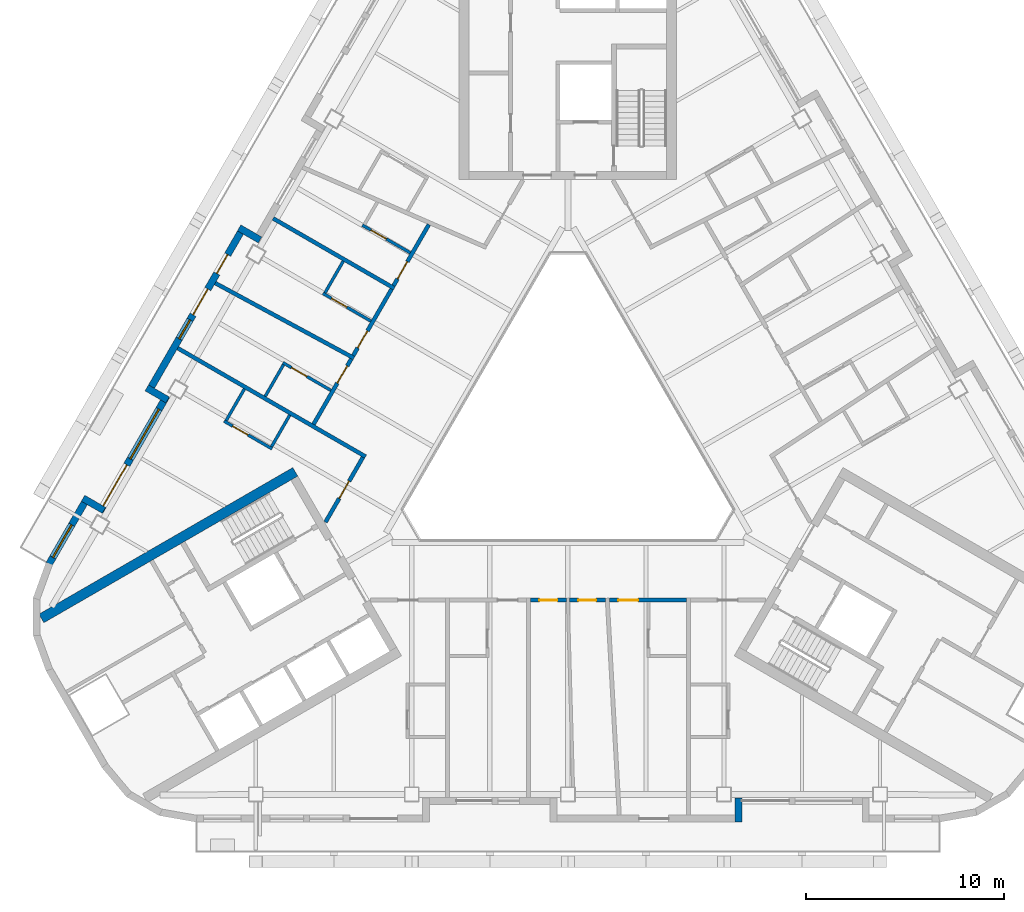
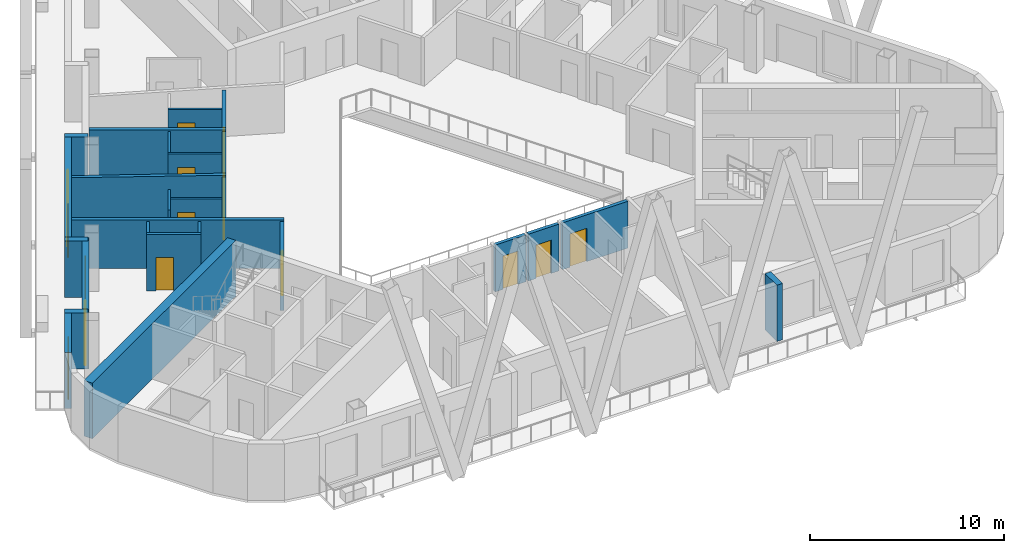
# One storey, part 4 of 14: 26 walls, 14 doors, 3 windows, 17 openings.
"""IFC4 building model written with IfcOpenShell, lengths in metres."""

from ifc_helpers import new_model, si_unit, direction, frame, frame_2d, origin, place, context, subcontext, project, spatial, rectangle, extrude, material, layer, layer_set, type_object, element, fill, save


model = new_model("IFC4")

# Units and contexts
model_context = context("Model", 3, precision=1e-05, world=origin(), true_north=direction((0.0, 1.0)))
body_context = subcontext(model_context, "Body", "Model", "MODEL_VIEW")
ifc_project = project(units=[si_unit("LENGTHUNIT", "METRE"), si_unit("AREAUNIT", "SQUARE_METRE"), si_unit("VOLUMEUNIT", "CUBIC_METRE"), si_unit("PLANEANGLEUNIT", "RADIAN"), si_unit("MASSUNIT", "GRAM", prefix="KILO")], contexts=[model_context])

# Site, building, storey
site_placement = place(None, origin())
site = spatial("IfcSite", under=ifc_project, at=site_placement, CompositionType="ELEMENT")
building_placement = place(site_placement, origin())
building = spatial("IfcBuilding", under=site, at=building_placement, Name="Apuvela Tower Hotel", CompositionType="ELEMENT")
storey_placement = place(building_placement, frame((0.0, 0.0, 224.300048828125)))
storey = spatial("IfcBuildingStorey", under=building, at=storey_placement, Name="L55", CompositionType="ELEMENT", Elevation=224.300048828125)

# Walls
ifc_material_1 = material(Name="Concrete C50/60", Category="concrete")
ifc_layer_1 = layer(ifc_material_1, 0.5)
ifc_layer_set_1 = layer_set([ifc_layer_1], Name="COR-WALL-CORE-500")
wall_type_1 = type_object("IfcWallType", Name="COR-WALL-CORE-500", PredefinedType="SHEAR", material=ifc_layer_set_1)
wall_1_placement = place(storey_placement, frame((-13.796630859375, -1.9033203125, 0.0), z_axis=(0.0, 0.0, 1.0), x_axis=(-0.866025009528, -0.500000682871, 0.0)))
element("IfcWall", 1, at=wall_1_placement, inside=storey, type_object=wall_type_1, Name="Core wall SW", PredefinedType="SHEAR", context=body_context, shape_type="SweptSolid", body=[
    extrude(rectangle(XDim=14.8369140625, YDim=0.5, at=frame_2d((7.41845703125, 0.0))), origin(), (0.0, 0.0, 1.0), 3.5),
])
ifc_material_2 = material(Name="Concrete C40/50, dark pigmented precast panel", Category="concrete")
ifc_layer_2 = layer(ifc_material_2, 0.35009765625)
ifc_layer_set_2 = layer_set([ifc_layer_2], Name="ENV-WALL-350")
wall_type_2 = type_object("IfcWallType", Name="ENV-WALL-350", PredefinedType="SOLIDWALL", material=ifc_layer_set_2)
wall_2_placement = place(storey_placement, frame((-15.580810546875, 9.8330078125, 0.0), z_axis=(0.0, 0.0, 1.0), x_axis=(-0.866055662726, 0.499947586314, 0.0)))
element("IfcWall", 2, at=wall_2_placement, inside=storey, type_object=wall_type_2, Name="External wall L55-04", PredefinedType="SOLIDWALL", context=body_context, shape_type="SweptSolid", body=[
    extrude(rectangle(XDim=1.220458984375, YDim=0.35009765625, at=frame_2d((0.6103515625, 0.0))), origin(), (0.0, 0.0, 1.0), 3.550048828125),
])

# Wall, openings, doors, window
wall_3_placement = place(storey_placement, frame((-16.3984375, 10.507080078125, 0.0), z_axis=(0.0, 0.0, 1.0), x_axis=(-0.499999142773, -0.866025898704, 0.0)))
wall_3 = element("IfcWall", 3, at=wall_3_placement, inside=storey, type_object=wall_type_2, Name="External wall L55-05", PredefinedType="SOLIDWALL", context=body_context, shape_type="SweptSolid", body=[
    extrude(rectangle(XDim=9.7001953125, YDim=0.35009765625, at=frame_2d((4.85009765625, 0.0))), origin(), (0.0, 0.0, 1.0), 3.550048828125),
])
opening_1_placement = place(wall_3_placement, frame((1.6376953125, 0.0, 0.0)))
opening_1 = element("IfcOpeningElement", 4, at=opening_1_placement, cuts=wall_3, Name="Opening BD11", PredefinedType="OPENING", context=body_context, shape_type="SweptSolid", body=[
    extrude(rectangle(XDim=1.10009765625, YDim=2.39990234375, at=frame_2d((0.550048828125, 1.199951171875))), frame((0.0, 0.18505859375, 0.0), z_axis=(0.0, -1.0, 0.0), x_axis=(1.0, 0.0, 0.0)), (0.0, 0.0, 1.0), 0.3701171875),
])
opening_2_placement = place(wall_3_placement, frame((3.64990234375, 0.0, 0.0)))
opening_2 = element("IfcOpeningElement", 5, at=opening_2_placement, cuts=wall_3, Name="Opening BD15", PredefinedType="OPENING", context=body_context, shape_type="SweptSolid", body=[
    extrude(rectangle(XDim=1.5, YDim=2.39990234375, at=frame_2d((0.75, 1.199951171875))), frame((0.0, 0.18505859375, 0.0), z_axis=(0.0, -1.0, 0.0), x_axis=(1.0, 0.0, 0.0)), (0.0, 0.0, 1.0), 0.3701171875),
])
opening_3_placement = place(wall_3_placement, frame((5.44970703125, 0.0, 0.300048828125)))
opening_3 = element("IfcOpeningElement", 6, at=opening_3_placement, cuts=wall_3, Name="Opening WN11", PredefinedType="OPENING", context=body_context, shape_type="SweptSolid", body=[
    extrude(rectangle(XDim=1.10009765625, YDim=2.64990234375, at=frame_2d((0.550048828125, 1.324951171875))), frame((0.0, 0.18505859375, 0.0), z_axis=(0.0, -1.0, 0.0), x_axis=(1.0, 0.0, 0.0)), (0.0, 0.0, 1.0), 0.3701171875),
])
ifc_material_3 = material(Name="Aluminium 6063-T6, dark bronze anodised frame with dark tinted laminated glass", Category="aluminium")
door_type_1 = type_object("IfcDoorType", Name="ENV-DOOR-BALCONY-1100x2400", OperationType="SLIDING_TO_LEFT", PredefinedType="DOOR", material=ifc_material_3)
door_1_placement = place(opening_1_placement, frame((1.10009765625, 0.0, 0.0), z_axis=(0.0, 0.0, 1.0), x_axis=(-1.0, 0.0, 0.0)))
door_1 = element("IfcDoor", 7, at=door_1_placement, inside=storey, type_object=door_type_1, Name="Balcony door BD11", OperationType="SLIDING_TO_LEFT", OverallHeight=2.39990234375, OverallWidth=1.10009765625, PredefinedType="DOOR", context=body_context, shape_type="SweptSolid", body=[
    extrude(rectangle(XDim=1.10009765625, YDim=2.39990234375, at=frame_2d((0.550048828125, 1.199951171875))), frame((0.0, 0.02490234375, 0.0), z_axis=(0.0, -1.0, 0.0), x_axis=(1.0, 0.0, 0.0)), (0.0, 0.0, 1.0), 0.050048828125),
])
fill(opening_1, door_1)
door_type_2 = type_object("IfcDoorType", Name="ENV-DOOR-BALCONY-1500x2400", OperationType="SLIDING_TO_LEFT", PredefinedType="DOOR", material=ifc_material_3)
door_2_placement = place(opening_2_placement, frame((1.5, 0.0, 0.0), z_axis=(0.0, 0.0, 1.0), x_axis=(-1.0, 0.0, 0.0)))
door_2 = element("IfcDoor", 8, at=door_2_placement, inside=storey, type_object=door_type_2, Name="Balcony door BD15", OperationType="SLIDING_TO_LEFT", OverallHeight=2.39990234375, OverallWidth=1.5, PredefinedType="DOOR", context=body_context, shape_type="SweptSolid", body=[
    extrude(rectangle(XDim=1.5, YDim=2.39990234375, at=frame_2d((0.75, 1.199951171875))), frame((0.0, 0.02490234375, 0.0), z_axis=(0.0, -1.0, 0.0), x_axis=(1.0, 0.0, 0.0)), (0.0, 0.0, 1.0), 0.050048828125),
])
fill(opening_2, door_2)
ifc_material_4 = material(Name="Glass, dark tinted laminated insulated glazing unit", Category="glass")
window_type_1 = type_object("IfcWindowType", Name="ENV-WIN-1100x2650", PartitioningType="SINGLE_PANEL", PredefinedType="WINDOW", material=ifc_material_4)
window_1_placement = place(opening_3_placement, origin())
window_1 = element("IfcWindow", 9, at=window_1_placement, inside=storey, type_object=window_type_1, Name="Window WN11", OverallHeight=2.64990234375, OverallWidth=1.10009765625, PartitioningType="SINGLE_PANEL", PredefinedType="WINDOW", context=body_context, shape_type="SweptSolid", body=[
    extrude(rectangle(XDim=1.10009765625, YDim=2.64990234375, at=frame_2d((0.550048828125, 1.324951171875))), frame((0.0, 0.030029296875, 0.0), z_axis=(0.0, -1.0, 0.0), x_axis=(1.0, 0.0, 0.0)), (0.0, 0.0, 1.0), 0.06005859375),
])
fill(opening_3, window_1)

# Wall
wall_4_placement = place(storey_placement, frame((-21.3125, 2.345703125, 0.0), z_axis=(0.0, 0.0, 1.0), x_axis=(0.866005645448, -0.500034220881, 0.0)))
element("IfcWall", 10, at=wall_4_placement, inside=storey, type_object=wall_type_2, Name="External wall L55-06", PredefinedType="SOLIDWALL", context=body_context, shape_type="SweptSolid", body=[
    extrude(rectangle(XDim=1.22021484375, YDim=0.35009765625, at=frame_2d((0.610107421875, 0.0))), origin(), (0.0, 0.0, 1.0), 3.550048828125),
])

# Wall, openings, door, window
wall_5_placement = place(storey_placement, frame((-20.30908203125, 1.93359375, 0.0), z_axis=(0.0, 0.0, 1.0), x_axis=(-0.499992114976, -0.866029956157, 0.0)))
wall_5 = element("IfcWall", 11, at=wall_5_placement, inside=storey, type_object=wall_type_2, Name="External wall L55-07", PredefinedType="SOLIDWALL", context=body_context, shape_type="SweptSolid", body=[
    extrude(rectangle(XDim=6.73974609375, YDim=0.35009765625, at=frame_2d((3.369873046875, 0.0))), origin(), (0.0, 0.0, 1.0), 3.550048828125),
])
opening_4_placement = place(wall_5_placement, frame((4.02001953125, 0.0, 0.0)))
opening_4 = element("IfcOpeningElement", 12, at=opening_4_placement, cuts=wall_5, Name="Opening BD24", PredefinedType="OPENING", context=body_context, shape_type="SweptSolid", body=[
    extrude(rectangle(XDim=2.39990234375, YDim=2.39990234375, at=frame_2d((1.199951171875, 1.199951171875))), frame((0.0, 0.18505859375, 0.0), z_axis=(0.0, -1.0, 0.0), x_axis=(1.0, 0.0, 0.0)), (0.0, 0.0, 1.0), 0.3701171875),
])
opening_5_placement = place(wall_5_placement, frame((0.77001953125, 0.0, 0.300048828125)))
opening_5 = element("IfcOpeningElement", 13, at=opening_5_placement, cuts=wall_5, Name="Opening WN29", PredefinedType="OPENING", context=body_context, shape_type="SweptSolid", body=[
    extrude(rectangle(XDim=2.89990234375, YDim=2.64990234375, at=frame_2d((1.449951171875, 1.324951171875))), frame((0.0, 0.18505859375, 0.0), z_axis=(0.0, -1.0, 0.0), x_axis=(1.0, 0.0, 0.0)), (0.0, 0.0, 1.0), 0.3701171875),
])
door_type_3 = type_object("IfcDoorType", Name="ENV-DOOR-BALCONY-2400x2400", OperationType="SLIDING_TO_LEFT", PredefinedType="DOOR", material=ifc_material_3)
door_3_placement = place(opening_4_placement, frame((2.39990234375, 0.0, 0.0), z_axis=(0.0, 0.0, 1.0), x_axis=(-1.0, 0.0, 0.0)))
door_3 = element("IfcDoor", 14, at=door_3_placement, inside=storey, type_object=door_type_3, Name="Balcony door BD24", OperationType="SLIDING_TO_LEFT", OverallHeight=2.39990234375, OverallWidth=2.39990234375, PredefinedType="DOOR", context=body_context, shape_type="SweptSolid", body=[
    extrude(rectangle(XDim=2.39990234375, YDim=2.39990234375, at=frame_2d((1.199951171875, 1.199951171875))), frame((0.0, 0.02490234375, 0.0), z_axis=(0.0, -1.0, 0.0), x_axis=(1.0, 0.0, 0.0)), (0.0, 0.0, 1.0), 0.050048828125),
])
fill(opening_4, door_3)
window_type_2 = type_object("IfcWindowType", Name="ENV-WIN-2900x2650", PartitioningType="SINGLE_PANEL", PredefinedType="WINDOW", material=ifc_material_4)
window_2_placement = place(opening_5_placement, origin())
window_2 = element("IfcWindow", 15, at=window_2_placement, inside=storey, type_object=window_type_2, Name="Window WN29", OverallHeight=2.64990234375, OverallWidth=2.89990234375, PartitioningType="SINGLE_PANEL", PredefinedType="WINDOW", context=body_context, shape_type="SweptSolid", body=[
    extrude(rectangle(XDim=2.89990234375, YDim=2.64990234375, at=frame_2d((1.449951171875, 1.324951171875))), frame((0.0, 0.030029296875, 0.0), z_axis=(0.0, -1.0, 0.0), x_axis=(1.0, 0.0, 0.0)), (0.0, 0.0, 1.0), 0.06005859375),
])
fill(opening_5, window_2)

# Wall
wall_6_placement = place(storey_placement, frame((-23.48095703125, -3.85009765625, 0.0), z_axis=(0.0, 0.0, 1.0), x_axis=(-0.866092288191, 0.499884134912, 0.0)))
element("IfcWall", 16, at=wall_6_placement, inside=storey, type_object=wall_type_2, Name="External wall L55-08", PredefinedType="SOLIDWALL", context=body_context, shape_type="SweptSolid", body=[
    extrude(rectangle(XDim=1.219970703125, YDim=0.35009765625, at=frame_2d((0.60986328125, 0.0))), origin(), (0.0, 0.0, 1.0), 3.550048828125),
])

# Wall, opening, window
wall_7_placement = place(storey_placement, frame((-24.298583984375, -3.17626953125, 0.0), z_axis=(0.0, 0.0, 1.0), x_axis=(-0.500028278809, -0.866009076391, 0.0)))
wall_7 = element("IfcWall", 17, at=wall_7_placement, inside=storey, type_object=wall_type_2, Name="External wall L55-09", PredefinedType="SOLIDWALL", context=body_context, shape_type="SweptSolid", body=[
    extrude(rectangle(XDim=3.915771484375, YDim=0.35009765625, at=frame_2d((1.9580078125, 0.0))), origin(), (0.0, 0.0, 1.0), 3.550048828125),
])
opening_6_placement = place(wall_7_placement, frame((1.625, 0.0, 0.300048828125)))
opening_6 = element("IfcOpeningElement", 18, at=opening_6_placement, cuts=wall_7, Name="Opening WN19", PredefinedType="OPENING", context=body_context, shape_type="SweptSolid", body=[
    extrude(rectangle(XDim=1.89990234375, YDim=2.64990234375, at=frame_2d((0.949951171875, 1.324951171875))), frame((0.0, 0.18505859375, 0.0), z_axis=(0.0, -1.0, 0.0), x_axis=(1.0, 0.0, 0.0)), (0.0, 0.0, 1.0), 0.3701171875),
])
window_type_3 = type_object("IfcWindowType", Name="ENV-WIN-1900x2650", PartitioningType="SINGLE_PANEL", PredefinedType="WINDOW", material=ifc_material_4)
window_3_placement = place(opening_6_placement, origin())
window_3 = element("IfcWindow", 19, at=window_3_placement, inside=storey, type_object=window_type_3, Name="Window WN19", OverallHeight=2.64990234375, OverallWidth=1.89990234375, PartitioningType="SINGLE_PANEL", PredefinedType="WINDOW", context=body_context, shape_type="SweptSolid", body=[
    extrude(rectangle(XDim=1.89990234375, YDim=2.64990234375, at=frame_2d((0.949951171875, 1.324951171875))), frame((0.0, 0.030029296875, 0.0), z_axis=(0.0, -1.0, 0.0), x_axis=(1.0, 0.0, 0.0)), (0.0, 0.0, 1.0), 0.06005859375),
])
fill(opening_6, window_3)

# Walls
wall_8_placement = place(storey_placement, frame((8.625, -19.6298828125, 0.0), z_axis=(0.0, 0.0, 1.0), x_axis=(0.0, 1.0, 0.0)))
element("IfcWall", 20, at=wall_8_placement, inside=storey, type_object=wall_type_2, Name="External wall L55-22", PredefinedType="SOLIDWALL", context=body_context, shape_type="SweptSolid", body=[
    extrude(rectangle(XDim=1.219970703125, YDim=0.35009765625, at=frame_2d((0.60986328125, 0.0))), origin(), (0.0, 0.0, 1.0), 3.550048828125),
])
ifc_material_5 = material(Name="Gypsum board partition on twin steel stud", Category="steel")
ifc_layer_3 = layer(ifc_material_5, 0.199951171875)
ifc_layer_set_3 = layer_set([ifc_layer_3], Name="GST-PW1")
wall_type_3 = type_object("IfcWallType", Name="GST-PW1", PredefinedType="PARTITIONING", material=ifc_layer_set_3)
wall_9_placement = place(storey_placement, frame((-14.91748046875, 10.922119140625, 0.0), z_axis=(0.0, 0.0, 1.0), x_axis=(0.866019052629, -0.500011000363, 0.0)))
element("IfcWall", 21, at=wall_9_placement, inside=storey, type_object=wall_type_3, Name="L55 partition 10", PredefinedType="PARTITIONING", context=body_context, shape_type="SweptSolid", body=[
    extrude(rectangle(XDim=7.079833984375, YDim=0.199951171875, at=frame_2d((3.5400390625, 0.0))), origin(), (0.0, 0.0, 1.0), 3.06005859375),
])
wall_10_placement = place(storey_placement, frame((-17.846923828125, 7.648193359375, 0.0), z_axis=(0.0, 0.0, 1.0), x_axis=(0.879604495132, -0.475705720109, 0.0)))
element("IfcWall", 22, at=wall_10_placement, inside=storey, type_object=wall_type_3, Name="L55 partition 11", PredefinedType="PARTITIONING", context=body_context, shape_type="SweptSolid", body=[
    extrude(rectangle(XDim=7.983154296875, YDim=0.199951171875, at=frame_2d((3.99169921875, 0.0))), origin(), (0.0, 0.0, 1.0), 3.06005859375),
])
wall_11_placement = place(storey_placement, frame((-19.7470703125, 4.357177734375, 0.0), z_axis=(0.0, 0.0, 1.0), x_axis=(0.866027479907, -0.499996404033, 0.0)))
element("IfcWall", 23, at=wall_11_placement, inside=storey, type_object=wall_type_3, Name="L55 partition 12", PredefinedType="PARTITIONING", context=body_context, shape_type="SweptSolid", body=[
    extrude(rectangle(XDim=10.97998046875, YDim=0.199951171875, at=frame_2d((5.489990234375, 0.0))), origin(), (0.0, 0.0, 1.0), 3.06005859375),
])

# Wall, opening, door
ifc_material_6 = material(Name="Gypsum board corridor wall on twin steel stud, acoustic", Category="steel")
ifc_layer_4 = layer(ifc_material_6, 0.199951171875)
ifc_layer_set_4 = layer_set([ifc_layer_4], Name="GST-PW2")
wall_type_4 = type_object("IfcWallType", Name="GST-PW2", PredefinedType="PARTITIONING", material=ifc_layer_set_4)
wall_12_placement = place(storey_placement, frame((-0.077880859375, -8.39990234375, 0.0), z_axis=(0.0, 0.0, 1.0), x_axis=(-1.0, 0.0, 0.0)))
wall_12 = element("IfcWall", 24, at=wall_12_placement, inside=storey, type_object=wall_type_4, Name="L55 partition 21", PredefinedType="PARTITIONING", context=body_context, shape_type="SweptSolid", body=[
    extrude(rectangle(XDim=1.822021484375, YDim=0.199951171875, at=frame_2d((0.9111328125, 0.0))), origin(), (0.0, 0.0, 1.0), 2.949951171875),
])
opening_7_placement = place(wall_12_placement, frame((0.461181640625, 0.0, 0.0)))
opening_7 = element("IfcOpeningElement", 25, at=opening_7_placement, cuts=wall_12, Name="Opening GD22-05", PredefinedType="OPENING", context=body_context, shape_type="SweptSolid", body=[
    extrude(rectangle(XDim=0.89990234375, YDim=2.10009765625, at=frame_2d((0.449951171875, 1.050048828125))), frame((0.0, 0.10986328125, 0.0), z_axis=(0.0, -1.0, 0.0), x_axis=(1.0, 0.0, 0.0)), (0.0, 0.0, 1.0), 0.219970703125),
])
ifc_material_7 = material(Name="Timber door leaf in steel frame", Category="steel")
door_type_4 = type_object("IfcDoorType", Name="GST-D2", OperationType="NOTDEFINED", PredefinedType="DOOR", material=ifc_material_7)
door_4_placement = place(opening_7_placement, origin())
door_4 = element("IfcDoor", 26, at=door_4_placement, inside=storey, type_object=door_type_4, Name="Door L55-05", OperationType="SINGLE_SWING_LEFT", OverallHeight=2.10009765625, OverallWidth=0.89990234375, PredefinedType="DOOR", context=body_context, shape_type="SweptSolid", body=[
    extrude(rectangle(XDim=0.89990234375, YDim=2.10009765625, at=frame_2d((0.449951171875, 1.050048828125))), frame((0.0, 0.02490234375, 0.0), z_axis=(0.0, -1.0, 0.0), x_axis=(1.0, 0.0, 0.0)), (0.0, 0.0, 1.0), 0.050048828125),
])
fill(opening_7, door_4)

wall_13_placement = place(storey_placement, frame((1.894287109375, -8.39990234375, 0.0), z_axis=(0.0, 0.0, 1.0), x_axis=(-1.0, 0.0, 0.0)))
wall_13 = element("IfcWall", 27, at=wall_13_placement, inside=storey, type_object=wall_type_4, Name="L55 partition 22", PredefinedType="PARTITIONING", context=body_context, shape_type="SweptSolid", body=[
    extrude(rectangle(XDim=1.822021484375, YDim=0.199951171875, at=frame_2d((0.9111328125, 0.0))), origin(), (0.0, 0.0, 1.0), 2.949951171875),
])
opening_8_placement = place(wall_13_placement, frame((0.461181640625, 0.0, 0.0)))
opening_8 = element("IfcOpeningElement", 28, at=opening_8_placement, cuts=wall_13, Name="Opening GD22-06", PredefinedType="OPENING", context=body_context, shape_type="SweptSolid", body=[
    extrude(rectangle(XDim=0.89990234375, YDim=2.10009765625, at=frame_2d((0.449951171875, 1.050048828125))), frame((0.0, 0.10986328125, 0.0), z_axis=(0.0, -1.0, 0.0), x_axis=(1.0, 0.0, 0.0)), (0.0, 0.0, 1.0), 0.219970703125),
])
door_5_placement = place(opening_8_placement, origin())
door_5 = element("IfcDoor", 29, at=door_5_placement, inside=storey, type_object=door_type_4, Name="Door L55-06", OperationType="SINGLE_SWING_RIGHT", OverallHeight=2.10009765625, OverallWidth=0.89990234375, PredefinedType="DOOR", context=body_context, shape_type="SweptSolid", body=[
    extrude(rectangle(XDim=0.89990234375, YDim=2.10009765625, at=frame_2d((0.449951171875, 1.050048828125))), frame((0.0, 0.02490234375, 0.0), z_axis=(0.0, -1.0, 0.0), x_axis=(1.0, 0.0, 0.0)), (0.0, 0.0, 1.0), 0.050048828125),
])
fill(opening_8, door_5)

wall_14_placement = place(storey_placement, frame((6.0, -8.39990234375, 0.0), z_axis=(0.0, 0.0, 1.0), x_axis=(-1.0, 0.0, 0.0)))
wall_14 = element("IfcWall", 30, at=wall_14_placement, inside=storey, type_object=wall_type_4, Name="L55 partition 23", PredefinedType="PARTITIONING", context=body_context, shape_type="SweptSolid", body=[
    extrude(rectangle(XDim=3.905517578125, YDim=0.199951171875, at=frame_2d((1.95263671875, 0.0))), origin(), (0.0, 0.0, 1.0), 2.949951171875),
])
opening_9_placement = place(wall_14_placement, frame((2.449951171875, 0.0, 0.0)))
opening_9 = element("IfcOpeningElement", 31, at=opening_9_placement, cuts=wall_14, Name="Opening GD22-08", PredefinedType="OPENING", context=body_context, shape_type="SweptSolid", body=[
    extrude(rectangle(XDim=1.0, YDim=2.10009765625, at=frame_2d((0.5, 1.050048828125))), frame((0.0, 0.10986328125, 0.0), z_axis=(0.0, -1.0, 0.0), x_axis=(1.0, 0.0, 0.0)), (0.0, 0.0, 1.0), 0.219970703125),
])
door_type_5 = type_object("IfcDoorType", Name="GST-D1", OperationType="NOTDEFINED", PredefinedType="DOOR", material=ifc_material_7)
door_6_placement = place(opening_9_placement, origin())
door_6 = element("IfcDoor", 32, at=door_6_placement, inside=storey, type_object=door_type_5, Name="Door L55-08", OperationType="SINGLE_SWING_RIGHT", OverallHeight=2.10009765625, OverallWidth=1.0, PredefinedType="DOOR", context=body_context, shape_type="SweptSolid", body=[
    extrude(rectangle(XDim=1.0, YDim=2.10009765625, at=frame_2d((0.5, 1.050048828125))), frame((0.0, 0.02490234375, 0.0), z_axis=(0.0, -1.0, 0.0), x_axis=(1.0, 0.0, 0.0)), (0.0, 0.0, 1.0), 0.050048828125),
])
fill(opening_9, door_6)

wall_15_placement = place(storey_placement, frame((-8.82275390625, 7.518798828125, 0.0), z_axis=(0.0, 0.0, 1.0), x_axis=(0.500036104519, 0.866004557827, 0.0)))
wall_15 = element("IfcWall", 33, at=wall_15_placement, inside=storey, type_object=wall_type_4, Name="L55 partition 51", PredefinedType="PARTITIONING", context=body_context, shape_type="SweptSolid", body=[
    extrude(rectangle(XDim=3.571044921875, YDim=0.199951171875, at=frame_2d((1.78564453125, 0.0))), origin(), (0.0, 0.0, 1.0), 2.949951171875),
])
opening_10_placement = place(wall_15_placement, frame((0.39990234375, 0.0, 0.0)))
opening_10 = element("IfcOpeningElement", 34, at=opening_10_placement, cuts=wall_15, Name="Opening GD22-24", PredefinedType="OPENING", context=body_context, shape_type="SweptSolid", body=[
    extrude(rectangle(XDim=1.0, YDim=2.10009765625, at=frame_2d((0.5, 1.050048828125))), frame((0.0, 0.10986328125, 0.0), z_axis=(0.0, -1.0, 0.0), x_axis=(1.0, 0.0, 0.0)), (0.0, 0.0, 1.0), 0.219970703125),
])
door_7_placement = place(opening_10_placement, origin())
door_7 = element("IfcDoor", 35, at=door_7_placement, inside=storey, type_object=door_type_5, Name="Door L55-24", OperationType="SINGLE_SWING_LEFT", OverallHeight=2.10009765625, OverallWidth=1.0, PredefinedType="DOOR", context=body_context, shape_type="SweptSolid", body=[
    extrude(rectangle(XDim=1.0, YDim=2.10009765625, at=frame_2d((0.5, 1.050048828125))), frame((0.0, 0.02490234375, 0.0), z_axis=(0.0, -1.0, 0.0), x_axis=(1.0, 0.0, 0.0)), (0.0, 0.0, 1.0), 0.050048828125),
])
fill(opening_10, door_7)

wall_16_placement = place(storey_placement, frame((-10.863037109375, 3.984619140625, 0.0), z_axis=(0.0, 0.0, 1.0), x_axis=(0.500009256921, 0.866020059232, 0.0)))
wall_16 = element("IfcWall", 36, at=wall_16_placement, inside=storey, type_object=wall_type_4, Name="L55 partition 54", PredefinedType="PARTITIONING", context=body_context, shape_type="SweptSolid", body=[
    extrude(rectangle(XDim=3.880859375, YDim=0.199951171875, at=frame_2d((1.9404296875, 0.0))), origin(), (0.0, 0.0, 1.0), 2.949951171875),
])
opening_11_placement = place(wall_16_placement, frame((0.440185546875, 0.0, 0.0)))
opening_11 = element("IfcOpeningElement", 37, at=opening_11_placement, cuts=wall_16, Name="Opening GD22-26", PredefinedType="OPENING", context=body_context, shape_type="SweptSolid", body=[
    extrude(rectangle(XDim=1.0, YDim=2.10009765625, at=frame_2d((0.5, 1.050048828125))), frame((0.0, 0.10986328125, 0.0), z_axis=(0.0, -1.0, 0.0), x_axis=(1.0, 0.0, 0.0)), (0.0, 0.0, 1.0), 0.219970703125),
])
door_8_placement = place(opening_11_placement, origin())
door_8 = element("IfcDoor", 38, at=door_8_placement, inside=storey, type_object=door_type_5, Name="Door L55-26", OperationType="SINGLE_SWING_LEFT", OverallHeight=2.10009765625, OverallWidth=1.0, PredefinedType="DOOR", context=body_context, shape_type="SweptSolid", body=[
    extrude(rectangle(XDim=1.0, YDim=2.10009765625, at=frame_2d((0.5, 1.050048828125))), frame((0.0, 0.02490234375, 0.0), z_axis=(0.0, -1.0, 0.0), x_axis=(1.0, 0.0, 0.0)), (0.0, 0.0, 1.0), 0.050048828125),
])
fill(opening_11, door_8)

wall_17_placement = place(storey_placement, frame((-12.872802734375, 0.50390625, 0.0), z_axis=(0.0, 0.0, 1.0), x_axis=(0.500030487836, 0.866007800909, 0.0)))
wall_17 = element("IfcWall", 39, at=wall_17_placement, inside=storey, type_object=wall_type_4, Name="L55 partition 57", PredefinedType="PARTITIONING", context=body_context, shape_type="SweptSolid", body=[
    extrude(rectangle(XDim=3.819091796875, YDim=0.199951171875, at=frame_2d((1.90966796875, 0.0))), origin(), (0.0, 0.0, 1.0), 2.949951171875),
])
opening_12_placement = place(wall_17_placement, frame((2.40966796875, 0.0, 0.0)))
opening_12 = element("IfcOpeningElement", 40, at=opening_12_placement, cuts=wall_17, Name="Opening GD22-28", PredefinedType="OPENING", context=body_context, shape_type="SweptSolid", body=[
    extrude(rectangle(XDim=1.0, YDim=2.10009765625, at=frame_2d((0.5, 1.050048828125))), frame((0.0, 0.10986328125, 0.0), z_axis=(0.0, -1.0, 0.0), x_axis=(1.0, 0.0, 0.0)), (0.0, 0.0, 1.0), 0.219970703125),
])
door_9_placement = place(opening_12_placement, origin())
door_9 = element("IfcDoor", 41, at=door_9_placement, inside=storey, type_object=door_type_5, Name="Door L55-28", OperationType="SINGLE_SWING_RIGHT", OverallHeight=2.10009765625, OverallWidth=1.0, PredefinedType="DOOR", context=body_context, shape_type="SweptSolid", body=[
    extrude(rectangle(XDim=1.0, YDim=2.10009765625, at=frame_2d((0.5, 1.050048828125))), frame((0.0, 0.02490234375, 0.0), z_axis=(0.0, -1.0, 0.0), x_axis=(1.0, 0.0, 0.0)), (0.0, 0.0, 1.0), 0.050048828125),
])
fill(opening_12, door_9)

wall_18_placement = place(storey_placement, frame((-12.268798828125, -4.449951171875, 0.0), z_axis=(0.0, 0.0, 1.0), x_axis=(0.500055316652, 0.865993464345, 0.0)))
wall_18 = element("IfcWall", 42, at=wall_18_placement, inside=storey, type_object=wall_type_4, Name="L55 partition 60", PredefinedType="PARTITIONING", context=body_context, shape_type="SweptSolid", body=[
    extrude(rectangle(XDim=3.7880859375, YDim=0.199951171875, at=frame_2d((1.89404296875, 0.0))), origin(), (0.0, 0.0, 1.0), 2.949951171875),
])
opening_13_placement = place(wall_18_placement, frame((1.39404296875, 0.0, 0.0)))
opening_13 = element("IfcOpeningElement", 43, at=opening_13_placement, cuts=wall_18, Name="Opening GD22-30", PredefinedType="OPENING", context=body_context, shape_type="SweptSolid", body=[
    extrude(rectangle(XDim=1.0, YDim=2.10009765625, at=frame_2d((0.5, 1.050048828125))), frame((0.0, 0.10986328125, 0.0), z_axis=(0.0, -1.0, 0.0), x_axis=(1.0, 0.0, 0.0)), (0.0, 0.0, 1.0), 0.219970703125),
])
door_10_placement = place(opening_13_placement, origin())
door_10 = element("IfcDoor", 44, at=door_10_placement, inside=storey, type_object=door_type_5, Name="Door L55-30", OperationType="SINGLE_SWING_RIGHT", OverallHeight=2.10009765625, OverallWidth=1.0, PredefinedType="DOOR", context=body_context, shape_type="SweptSolid", body=[
    extrude(rectangle(XDim=1.0, YDim=2.10009765625, at=frame_2d((0.5, 1.050048828125))), frame((0.0, 0.02490234375, 0.0), z_axis=(0.0, -1.0, 0.0), x_axis=(1.0, 0.0, 0.0)), (0.0, 0.0, 1.0), 0.050048828125),
])
fill(opening_13, door_10)

ifc_material_8 = material(Name="Moisture-resistant gypsum board wet wall on steel stud", Category="steel")
ifc_layer_5 = layer(ifc_material_8, 0.14990234375)
ifc_layer_set_5 = layer_set([ifc_layer_5], Name="GST-PW3")
wall_type_5 = type_object("IfcWallType", Name="GST-PW3", PredefinedType="PARTITIONING", material=ifc_layer_set_5)
wall_19_placement = place(storey_placement, frame((-10.40234375, 10.58251953125, 0.0), z_axis=(0.0, 0.0, 1.0), x_axis=(0.866034573852, -0.49998411664, 0.0)))
wall_19 = element("IfcWall", 45, at=wall_19_placement, inside=storey, type_object=wall_type_5, Name="L55 partition 52", PredefinedType="PARTITIONING", context=body_context, shape_type="SweptSolid", body=[
    extrude(rectangle(XDim=2.7998046875, YDim=0.14990234375, at=frame_2d((1.39990234375, 0.0))), origin(), (0.0, 0.0, 1.0), 2.949951171875),
])
opening_14_placement = place(wall_19_placement, frame((0.5, 0.0, 0.0)))
opening_14 = element("IfcOpeningElement", 46, at=opening_14_placement, cuts=wall_19, Name="Opening GD22-23", PredefinedType="OPENING", context=body_context, shape_type="SweptSolid", body=[
    extrude(rectangle(XDim=0.89990234375, YDim=2.10009765625, at=frame_2d((0.449951171875, 1.050048828125))), frame((0.0, 0.0849609375, 0.0), z_axis=(0.0, -1.0, 0.0), x_axis=(1.0, 0.0, 0.0)), (0.0, 0.0, 1.0), 0.169921875),
])
door_11_placement = place(opening_14_placement, origin())
door_11 = element("IfcDoor", 47, at=door_11_placement, inside=storey, type_object=door_type_4, Name="Door L55-23", OperationType="SINGLE_SWING_LEFT", OverallHeight=2.10009765625, OverallWidth=0.89990234375, PredefinedType="DOOR", context=body_context, shape_type="SweptSolid", body=[
    extrude(rectangle(XDim=0.89990234375, YDim=2.10009765625, at=frame_2d((0.449951171875, 1.050048828125))), frame((0.0, 0.02490234375, 0.0), z_axis=(0.0, -1.0, 0.0), x_axis=(1.0, 0.0, 0.0)), (0.0, 0.0, 1.0), 0.050048828125),
])
fill(opening_14, door_11)

wall_20_placement = place(storey_placement, frame((-12.396728515625, 7.12841796875, 0.0), z_axis=(0.0, 0.0, 1.0), x_axis=(0.866018616679, -0.500011755427, 0.0)))
wall_20 = element("IfcWall", 48, at=wall_20_placement, inside=storey, type_object=wall_type_5, Name="L55 partition 55", PredefinedType="PARTITIONING", context=body_context, shape_type="SweptSolid", body=[
    extrude(rectangle(XDim=2.80029296875, YDim=0.14990234375, at=frame_2d((1.400146484375, 0.0))), origin(), (0.0, 0.0, 1.0), 2.949951171875),
])
opening_15_placement = place(wall_20_placement, frame((0.5, 0.0, 0.0)))
opening_15 = element("IfcOpeningElement", 49, at=opening_15_placement, cuts=wall_20, Name="Opening GD22-25", PredefinedType="OPENING", context=body_context, shape_type="SweptSolid", body=[
    extrude(rectangle(XDim=0.89990234375, YDim=2.10009765625, at=frame_2d((0.449951171875, 1.050048828125))), frame((0.0, 0.0849609375, 0.0), z_axis=(0.0, -1.0, 0.0), x_axis=(1.0, 0.0, 0.0)), (0.0, 0.0, 1.0), 0.169921875),
])
door_12_placement = place(opening_15_placement, origin())
door_12 = element("IfcDoor", 50, at=door_12_placement, inside=storey, type_object=door_type_4, Name="Door L55-25", OperationType="SINGLE_SWING_LEFT", OverallHeight=2.10009765625, OverallWidth=0.89990234375, PredefinedType="DOOR", context=body_context, shape_type="SweptSolid", body=[
    extrude(rectangle(XDim=0.89990234375, YDim=2.10009765625, at=frame_2d((0.449951171875, 1.050048828125))), frame((0.0, 0.02490234375, 0.0), z_axis=(0.0, -1.0, 0.0), x_axis=(1.0, 0.0, 0.0)), (0.0, 0.0, 1.0), 0.050048828125),
])
fill(opening_15, door_12)

# Wall
wall_21_placement = place(storey_placement, frame((-11.369140625, 8.7578125, 0.0), z_axis=(0.0, 0.0, 1.0), x_axis=(-0.500042316284, -0.866000971088, 0.0)))
element("IfcWall", 51, at=wall_21_placement, inside=storey, type_object=wall_type_5, Name="L55 partition 56", PredefinedType="PARTITIONING", context=body_context, shape_type="SweptSolid", body=[
    extrude(rectangle(XDim=1.849853515625, YDim=0.14990234375, at=frame_2d((0.9248046875, 0.0))), origin(), (0.0, 0.0, 1.0), 2.949951171875),
])

# Wall, opening, door
wall_22_placement = place(storey_placement, frame((-11.996826171875, 2.220947265625, 0.0), z_axis=(0.0, 0.0, 1.0), x_axis=(-0.866034573852, 0.49998411664, 0.0)))
wall_22 = element("IfcWall", 52, at=wall_22_placement, inside=storey, type_object=wall_type_5, Name="L55 partition 58", PredefinedType="PARTITIONING", context=body_context, shape_type="SweptSolid", body=[
    extrude(rectangle(XDim=2.7998046875, YDim=0.14990234375, at=frame_2d((1.39990234375, 0.0))), origin(), (0.0, 0.0, 1.0), 2.949951171875),
])
opening_16_placement = place(wall_22_placement, frame((1.39990234375, 0.0, 0.0)))
opening_16 = element("IfcOpeningElement", 53, at=opening_16_placement, cuts=wall_22, Name="Opening GD22-27", PredefinedType="OPENING", context=body_context, shape_type="SweptSolid", body=[
    extrude(rectangle(XDim=0.89990234375, YDim=2.10009765625, at=frame_2d((0.449951171875, 1.050048828125))), frame((0.0, 0.0849609375, 0.0), z_axis=(0.0, -1.0, 0.0), x_axis=(1.0, 0.0, 0.0)), (0.0, 0.0, 1.0), 0.169921875),
])
door_13_placement = place(opening_16_placement, origin())
door_13 = element("IfcDoor", 54, at=door_13_placement, inside=storey, type_object=door_type_4, Name="Door L55-27", OperationType="SINGLE_SWING_RIGHT", OverallHeight=2.10009765625, OverallWidth=0.89990234375, PredefinedType="DOOR", context=body_context, shape_type="SweptSolid", body=[
    extrude(rectangle(XDim=0.89990234375, YDim=2.10009765625, at=frame_2d((0.449951171875, 1.050048828125))), frame((0.0, 0.02490234375, 0.0), z_axis=(0.0, -1.0, 0.0), x_axis=(1.0, 0.0, 0.0)), (0.0, 0.0, 1.0), 0.050048828125),
])
fill(opening_16, door_13)

# Wall
wall_23_placement = place(storey_placement, frame((-14.394287109375, 3.5185546875, 0.0), z_axis=(0.0, 0.0, 1.0), x_axis=(-0.499886193382, -0.866091100096, 0.0)))
element("IfcWall", 55, at=wall_23_placement, inside=storey, type_object=wall_type_5, Name="L55 partition 59", PredefinedType="PARTITIONING", context=body_context, shape_type="SweptSolid", body=[
    extrude(rectangle(XDim=1.85009765625, YDim=0.14990234375, at=frame_2d((0.925048828125, 0.0))), origin(), (0.0, 0.0, 1.0), 3.550048828125),
])

# Wall, opening, door
wall_24_placement = place(storey_placement, frame((-17.3994140625, 0.66357421875, 0.0), z_axis=(0.0, 0.0, 1.0), x_axis=(0.866018616679, -0.500011755427, 0.0)))
wall_24 = element("IfcWall", 56, at=wall_24_placement, inside=storey, type_object=wall_type_5, Name="L55 partition 61", PredefinedType="PARTITIONING", context=body_context, shape_type="SweptSolid", body=[
    extrude(rectangle(XDim=2.80029296875, YDim=0.14990234375, at=frame_2d((1.400146484375, 0.0))), origin(), (0.0, 0.0, 1.0), 3.550048828125),
])
opening_17_placement = place(wall_24_placement, frame((0.5, 0.0, 0.0)))
opening_17 = element("IfcOpeningElement", 57, at=opening_17_placement, cuts=wall_24, Name="Opening GD22-29", PredefinedType="OPENING", context=body_context, shape_type="SweptSolid", body=[
    extrude(rectangle(XDim=0.89990234375, YDim=2.10009765625, at=frame_2d((0.449951171875, 1.050048828125))), frame((0.0, 0.0849609375, 0.0), z_axis=(0.0, -1.0, 0.0), x_axis=(1.0, 0.0, 0.0)), (0.0, 0.0, 1.0), 0.169921875),
])
door_14_placement = place(opening_17_placement, origin())
door_14 = element("IfcDoor", 58, at=door_14_placement, inside=storey, type_object=door_type_4, Name="Door L55-29", OperationType="SINGLE_SWING_LEFT", OverallHeight=2.10009765625, OverallWidth=0.89990234375, PredefinedType="DOOR", context=body_context, shape_type="SweptSolid", body=[
    extrude(rectangle(XDim=0.89990234375, YDim=2.10009765625, at=frame_2d((0.449951171875, 1.050048828125))), frame((0.0, 0.02490234375, 0.0), z_axis=(0.0, -1.0, 0.0), x_axis=(1.0, 0.0, 0.0)), (0.0, 0.0, 1.0), 0.050048828125),
])
fill(opening_17, door_14)

# Walls
wall_25_placement = place(storey_placement, frame((-16.371826171875, 2.293212890625, 0.0), z_axis=(0.0, 0.0, 1.0), x_axis=(-0.499985172903, -0.866033964044, 0.0)))
element("IfcWall", 59, at=wall_25_placement, inside=storey, type_object=wall_type_5, Name="L55 partition 62", PredefinedType="PARTITIONING", context=body_context, shape_type="SweptSolid", body=[
    extrude(rectangle(XDim=1.85009765625, YDim=0.14990234375, at=frame_2d((0.925048828125, 0.0))), origin(), (0.0, 0.0, 1.0), 2.949951171875),
])
wall_26_placement = place(storey_placement, frame((-14.076904296875, 0.968017578125, 0.0), z_axis=(0.0, 0.0, 1.0), x_axis=(-0.500042316284, -0.866000971088, 0.0)))
element("IfcWall", 60, at=wall_26_placement, inside=storey, type_object=wall_type_5, Name="L55 partition 63", PredefinedType="PARTITIONING", context=body_context, shape_type="SweptSolid", body=[
    extrude(rectangle(XDim=1.849853515625, YDim=0.14990234375, at=frame_2d((0.9248046875, 0.0))), origin(), (0.0, 0.0, 1.0), 2.949951171875),
])

save(model, "model.ifc")
